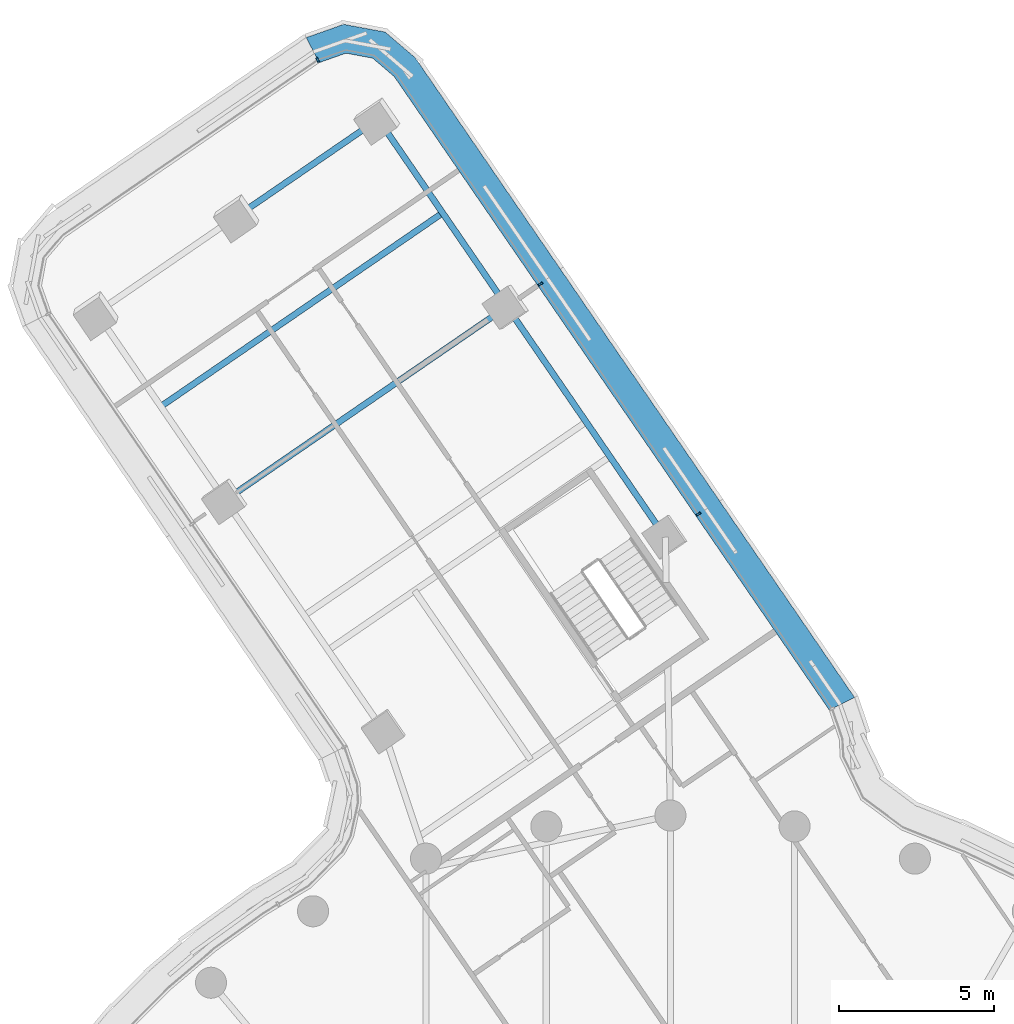
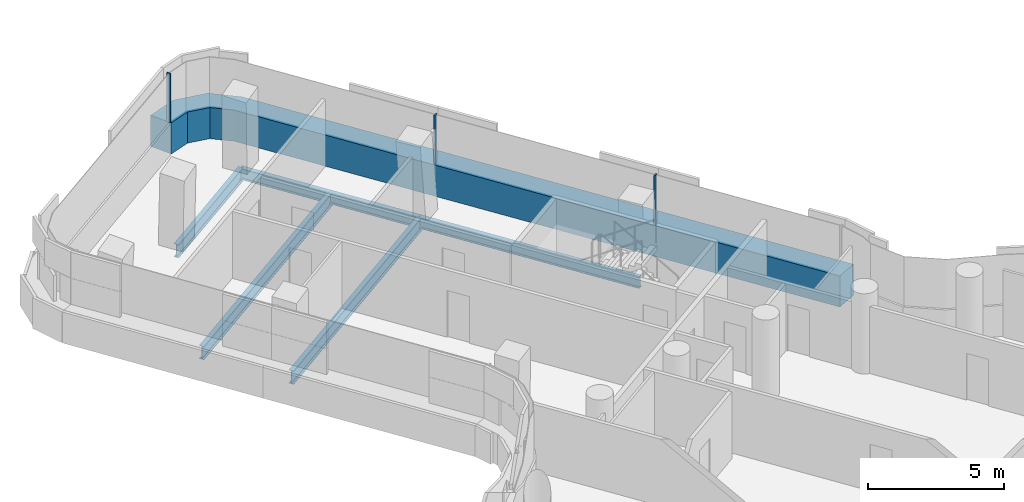
# One storey, part 17 of 33: 5 beams, 4 members, 2 elements without a shape of their own.
"""IFC4 building model written with IfcOpenShell, lengths in metres."""

import ifcopenshell
import ifcopenshell.guid

model = None  # the IFC model being written
_history = None  # IfcOwnerHistory: only IFC2X3 demands one
_inside = {}  # id of a spatial element -> (the spatial element, [elements in it])
_under = {}  # id of a project, library or spatial element -> (it, [spatial elements below it])
_declared = {}  # id of a project -> (the project, [libraries it declares])
_typed = {}  # id of a type object -> (the type object, [elements of that type])
_made_of = {}  # id of a material, layer set ... -> (it, [elements and type objects made of it])


def new_model(schema):
    """Start an empty IFC model of exactly this schema.

    Asked for "IFC4X3", IfcOpenShell would pick the latest addendum, in which some entities
    have other attributes; the version numbers below select the first issue.
    IFC2X3 requires an IfcOwnerHistory on every rooted entity: one is made here for all.
    """
    global model, _history
    if schema == "IFC4X3":
        model = ifcopenshell.file(schema_version=(4, 3, 0, 0))
    else:
        model = ifcopenshell.file(schema=schema)
    _inside.clear()
    _under.clear()
    _declared.clear()
    _typed.clear()
    _made_of.clear()
    _history = None
    if model.schema == "IFC2X3":
        org = make("IfcOrganization", Name="unknown")
        user = make(
            "IfcPersonAndOrganization",
            ThePerson=make("IfcPerson", FamilyName="unknown"),
            TheOrganization=org,
        )
        app = make(
            "IfcApplication",
            ApplicationDeveloper=org,
            Version="unknown",
            ApplicationFullName="unknown",
            ApplicationIdentifier="unknown",
        )
        _history = make(
            "IfcOwnerHistory",
            OwningUser=user,
            OwningApplication=app,
            ChangeAction="ADDED",
            CreationDate=0,
        )
    return model


def make(cls, **values):
    """One entity of the class cls with the attributes given. An attribute that is None is left unset."""
    return model.create_entity(
        cls, **{name: value for name, value in values.items() if value is not None}
    )


def rooted(cls, **values):
    """An entity with a GlobalId (a new one), such as an element, a storey or a relation."""
    return make(cls, GlobalId=ifcopenshell.guid.new(), OwnerHistory=_history, **values)


def si_unit(unit_type, name, prefix=None):
    """IfcSIUnit, for example si_unit("LENGTHUNIT", "METRE", prefix="MILLI")."""
    return make("IfcSIUnit", UnitType=unit_type, Prefix=prefix, Name=name)


def assignment(units):
    """IfcUnitAssignment: the units of a project."""
    return None if units is None else make("IfcUnitAssignment", Units=units)


def point(xyz):
    """IfcCartesianPoint."""
    return None if xyz is None else make("IfcCartesianPoint", Coordinates=xyz)


def direction(xyz):
    """IfcDirection."""
    return None if xyz is None else make("IfcDirection", DirectionRatios=xyz)


def frame(location, z_axis=None, x_axis=None):
    """IfcAxis2Placement3D, a coordinate frame: its origin and axes. An axis left out is left unset."""
    return make(
        "IfcAxis2Placement3D",
        Location=point(location),
        Axis=direction(z_axis),
        RefDirection=direction(x_axis),
    )


def frame_2d(location, x_axis=None):
    """IfcAxis2Placement2D, a coordinate frame in the plane: its origin and x axis."""
    return make(
        "IfcAxis2Placement2D", Location=point(location), RefDirection=direction(x_axis)
    )


def origin():
    """The frame at (0, 0, 0) with its axes left unset."""
    return frame((0.0, 0.0, 0.0))


def origin_2d():
    """The frame at (0, 0) in the plane with its x axis left unset."""
    return frame_2d((0.0, 0.0))


def place(relative_to, where):
    """IfcLocalPlacement: puts the frame where relative to a parent placement (None: the world)."""
    return make(
        "IfcLocalPlacement", PlacementRelTo=relative_to, RelativePlacement=where
    )


def context(
    kind, dimensions, precision=None, world=None, true_north=None, identifier=None
):
    """IfcGeometricRepresentationContext, for example the 3D "Model" context."""
    return make(
        "IfcGeometricRepresentationContext",
        ContextIdentifier=identifier,
        ContextType=kind,
        CoordinateSpaceDimension=dimensions,
        Precision=precision,
        WorldCoordinateSystem=world,
        TrueNorth=true_north,
    )


def subcontext(parent, identifier, kind, view, scale=None):
    """IfcGeometricRepresentationSubContext, for example "Body" below "Model"."""
    return make(
        "IfcGeometricRepresentationSubContext",
        ContextIdentifier=identifier,
        ContextType=kind,
        ParentContext=parent,
        TargetScale=scale,
        TargetView=view,
    )


def project(units=None, contexts=None):
    """IfcProject with its units and contexts."""
    return rooted(
        "IfcProject",
        Name="project",
        RepresentationContexts=contexts,
        UnitsInContext=assignment(units),
    )


def spatial(cls, under=None, at=None, **own):
    """A site, building, storey or space (cls), placed at a placement, below another one or the project."""
    s = rooted(cls, ObjectPlacement=at, **own)
    if under is not None:
        _under.setdefault(under.id(), (under, []))[1].append(s)
    return s


def polyline(points):
    """IfcPolyline through the points."""
    return make("IfcPolyline", Points=[point(p) for p in points])


def profile(cls, at=None, kind="AREA", **sizes):
    """A parametric profile (cls). Its sizes go by their IFC names, for example OverallWidth=200.0."""
    return make(cls, ProfileType=kind, Position=at, **sizes)


def rectangle(**sizes):
    """IfcRectangleProfileDef."""
    return profile("IfcRectangleProfileDef", **sizes)


def i_section(**sizes):
    """IfcIShapeProfileDef."""
    return profile("IfcIShapeProfileDef", **sizes)


def outline(outer, holes=None, kind="AREA"):
    """IfcArbitraryClosedProfileDef: a profile drawn as a closed curve; with holes, ...WithVoids."""
    if holes is None:
        return make("IfcArbitraryClosedProfileDef", ProfileType=kind, OuterCurve=outer)
    return make(
        "IfcArbitraryProfileDefWithVoids",
        ProfileType=kind,
        OuterCurve=outer,
        InnerCurves=holes,
    )


def extrude(swept, where, along, depth):
    """IfcExtrudedAreaSolid: the profile swept, set in the frame where, extruded along a direction by depth."""
    return make(
        "IfcExtrudedAreaSolid",
        SweptArea=swept,
        Position=where,
        ExtrudedDirection=direction(along),
        Depth=depth,
    )


def shape(context_of_items, identifier, shape_type, items):
    """IfcShapeRepresentation: the items that make up one representation, for example the "Body"."""
    return make(
        "IfcShapeRepresentation",
        ContextOfItems=context_of_items,
        RepresentationIdentifier=identifier,
        RepresentationType=shape_type,
        Items=items,
    )


def material(Name=None, Category=None):
    """IfcMaterial."""
    return make("IfcMaterial", Name=Name, Category=Category)


def layer(
    of_material, thickness, ventilated=None, Name=None, Category=None, Priority=None
):
    """IfcMaterialLayer: one layer of a wall or slab, of a material (None: an air gap)."""
    return make(
        "IfcMaterialLayer",
        Material=of_material,
        LayerThickness=thickness,
        IsVentilated=ventilated,
        Name=Name,
        Category=Category,
        Priority=Priority,
    )


def layer_set(layers, Name=None):
    """IfcMaterialLayerSet."""
    return make("IfcMaterialLayerSet", MaterialLayers=layers, LayerSetName=Name)


def material_profile(
    of_material, cross_section, Name=None, Category=None, Priority=None
):
    """IfcMaterialProfile: a cross section and its material."""
    return make(
        "IfcMaterialProfile",
        Name=Name,
        Material=of_material,
        Profile=cross_section,
        Priority=Priority,
        Category=Category,
    )


def profile_set(profiles, Name=None, composite=None):
    """IfcMaterialProfileSet."""
    return make(
        "IfcMaterialProfileSet",
        Name=Name,
        MaterialProfiles=profiles,
        CompositeProfile=composite,
    )


def made_of(thing, what):
    """Note that an element or type object is made of a material, layer set ...; save() writes the relation."""
    if what is not None:
        _made_of.setdefault(what.id(), (what, []))[1].append(thing)
    return thing


def type_object(cls, material=None, **own):
    """A type object (cls), such as IfcWallType, which elements share."""
    return made_of(rooted(cls, **own), material)


def element(
    cls,
    number,
    at=None,
    inside=None,
    cuts=None,
    type_object=None,
    material=None,
    context=None,
    identifier="Body",
    shape_type=None,
    held_by="IfcProductDefinitionShape",
    body=None,
    shapes=None,
    **own,
):
    """One element of the class cls, such as IfcWall. Its Tag is "e" and its number.

    at: its placement. inside: the storey or other place that contains it. cuts: it is an
    opening in that element (IfcRelVoidsElement). A single representation is given by context,
    identifier, shape_type and body (its items); several are given by shapes. held_by: the class
    of the entity that holds the representations. save() writes the other relations.
    """
    e = rooted(cls, Tag="e%d" % number, ObjectPlacement=at, **own)
    if body is not None:
        shapes = [shape(context, identifier, shape_type, body)]
    if shapes is not None:
        e.Representation = make(held_by, Representations=shapes)
    if inside is not None:
        _inside.setdefault(inside.id(), (inside, []))[1].append(e)
    if cuts is not None:
        rooted(
            "IfcRelVoidsElement", RelatingBuildingElement=cuts, RelatedOpeningElement=e
        )
    if type_object is not None:
        _typed.setdefault(type_object.id(), (type_object, []))[1].append(e)
    return made_of(e, material)


def aggregate(whole, parts):
    """IfcRelAggregates: a whole, such as a stair, and the parts it consists of."""
    return rooted("IfcRelAggregates", RelatingObject=whole, RelatedObjects=parts)


def save(model, path):
    """Write the relations noted so far, then the file.

    IfcRelAggregates (storeys below a building ...), IfcRelContainedInSpatialStructure (elements
    in a storey), IfcRelDefinesByType, IfcRelAssociatesMaterial and IfcRelDeclares: one each for
    every whole, place, type object, material and project.
    """
    for whole, parts in _under.values():
        aggregate(whole, parts)
    for where, things in _inside.values():
        rooted(
            "IfcRelContainedInSpatialStructure",
            RelatedElements=things,
            RelatingStructure=where,
        )
    for kind, things in _typed.values():
        rooted("IfcRelDefinesByType", RelatedObjects=things, RelatingType=kind)
    for what, things in _made_of.values():
        rooted("IfcRelAssociatesMaterial", RelatedObjects=things, RelatingMaterial=what)
    for by, libraries in _declared.values():
        rooted("IfcRelDeclares", RelatingContext=by, RelatedDefinitions=libraries)
    model.write(path)


model = new_model("IFC4")

# Units and contexts
model_context = context("Model", 3, precision=1e-05, world=origin(), true_north=direction((0.0, 1.0)))
body_context = subcontext(model_context, "Body", "Model", "MODEL_VIEW")
ifc_project = project(units=[si_unit("LENGTHUNIT", "METRE"), si_unit("AREAUNIT", "SQUARE_METRE"), si_unit("VOLUMEUNIT", "CUBIC_METRE"), si_unit("PLANEANGLEUNIT", "RADIAN"), si_unit("MASSUNIT", "GRAM", prefix="KILO")], contexts=[model_context])

# Site, building, storey
site_placement = place(None, origin())
site = spatial("IfcSite", under=ifc_project, at=site_placement, CompositionType="ELEMENT")
building_placement = place(site_placement, origin())
building = spatial("IfcBuilding", under=site, at=building_placement, Name="Tamarind Cross Interchange Tower", CompositionType="ELEMENT")
storey_placement = place(building_placement, frame((0.0, 0.0, 159.25)))
storey = spatial("IfcBuildingStorey", under=building, at=storey_placement, Name="L39", CompositionType="ELEMENT", Elevation=159.25)

# Beams
ifc_material_1 = material(Name="Steel Q355B", Category="steel")
ifc_material_profile_1 = material_profile(ifc_material_1, i_section(OverallWidth=0.198974609375, OverallDepth=0.49609375, WebThickness=0.009033203125, FlangeThickness=0.013916015625, FilletRadius=0.012939453125, at=origin_2d()), Name="HN 496x199x9x14")
ifc_profile_set_1 = profile_set([ifc_material_profile_1], Name="Steel Q355B")
beam_type_1 = type_object("IfcBeamType", Name="Composite beam HN 496x199x9x14 Q355B", PredefinedType="BEAM", material=ifc_profile_set_1)
beam_1_placement = place(storey_placement, frame((-9.4013671875, 45.40576171875, -0.387939453125), z_axis=(0.566098228726, -0.824337792069, 0.0), x_axis=(0.824337792069, 0.566098228726, 0.0)))
element("IfcBeam", 1, at=beam_1_placement, inside=storey, type_object=beam_type_1, Name="Beam N-edgeem5", PredefinedType="BEAM", context=body_context, shape_type="SweptSolid", body=[
    extrude(i_section(OverallWidth=0.198974609375, OverallDepth=0.49609375, WebThickness=0.009033203125, FlangeThickness=0.013916015625, FilletRadius=0.012939453125, at=origin_2d()), origin(), (0.0, 0.0, 1.0), 7.31640625),
])
beam_2_placement = place(storey_placement, frame((-5.259521484375, 39.37451171875, -0.387939453125), z_axis=(0.566091253332, -0.824342582244, 0.0), x_axis=(0.824342582244, 0.566091253332, 0.0)))
element("IfcBeam", 2, at=beam_2_placement, inside=storey, type_object=beam_type_1, Name="Beam N-edgeem6", PredefinedType="BEAM", context=body_context, shape_type="SweptSolid", body=[
    extrude(i_section(OverallWidth=0.198974609375, OverallDepth=0.49609375, WebThickness=0.009033203125, FlangeThickness=0.013916015625, FilletRadius=0.012939453125, at=origin_2d()), origin(), (0.0, 0.0, 1.0), 8.999755859375),
])
ifc_material_profile_2 = material_profile(ifc_material_1, i_section(OverallWidth=0.199951171875, OverallDepth=0.60009765625, WebThickness=0.010986328125, FlangeThickness=0.01708984375, FilletRadius=0.012939453125, at=origin_2d()), Name="HN 600x200x11x17")
ifc_profile_set_2 = profile_set([ifc_material_profile_2], Name="Steel Q355B")
beam_type_2 = type_object("IfcBeamType", Name="Composite beam HN 600x200x11x17 Q355B", PredefinedType="BEAM", material=ifc_profile_set_2)
beam_3_placement = place(storey_placement, frame((-9.4013671875, 45.40576171875, -0.43994140625), z_axis=(-0.824343580186, -0.566089800125, 0.0), x_axis=(0.566089800125, -0.824343580186, 0.0)))
element("IfcBeam", 3, at=beam_3_placement, inside=storey, type_object=beam_type_2, Name="Beam N-tip0", PredefinedType="BEAM", context=body_context, shape_type="SweptSolid", body=[
    extrude(i_section(OverallWidth=0.199951171875, OverallDepth=0.60009765625, WebThickness=0.010986328125, FlangeThickness=0.01708984375, FilletRadius=0.012939453125, at=origin_2d()), origin(), (0.0, 0.0, 1.0), 5.5),
])
for number, where, z_axis, x_axis, name in (
    (4, (-5.259521484375, 39.37451171875, -0.43994140625), (-0.824343580186, -0.566089800125, 0.0), (0.566089800125, -0.824343580186, 0.0), "Beam N-x393"),
    (5, (-7.33056640625, 42.39013671875, -0.43994140625), (-0.824336467633, -0.566100157331, 0.0), (0.566100157331, -0.824336467633, 0.0), "Beam N-x430"),
):
    element("IfcBeam", number, at=place(storey_placement, frame(where, z_axis=z_axis, x_axis=x_axis)), inside=storey, type_object=beam_type_2, Name=name, PredefinedType="BEAM", context=body_context, shape_type="SweptSolid", body=[
        extrude(i_section(OverallWidth=0.199951171875, OverallDepth=0.60009765625, WebThickness=0.010986328125, FlangeThickness=0.01708984375, FilletRadius=0.012939453125, at=origin_2d()), origin(), (0.0, 0.0, 1.0), 11.0),
    ])

# Curtain wall, members
ifc_material_2 = material(Name="Aluminium 6063-T6", Category="aluminium")
ifc_layer = layer(ifc_material_2, 0.159912109375)
ifc_layer_set = layer_set([ifc_layer], Name="Aluminium 6063-T6")
curtain_wall_type = type_object("IfcCurtainWallType", Name="Office curtain wall, 9.0 m bays", PredefinedType="NOTDEFINED", material=ifc_layer_set)
curtain_wall_1_placement = place(storey_placement, origin())
curtain_wall_1 = element("IfcCurtainWall", 6, at=curtain_wall_1_placement, inside=storey, type_object=curtain_wall_type, Name="CWS-L39-11", PredefinedType="NOTDEFINED")
ifc_material_3 = material(Name="Aluminium and insulated spandrel panel", Category="aluminium")
member_type_1 = type_object("IfcMemberType", Name="Floor-edge blade transom", PredefinedType="USERDEFINED", material=ifc_material_3)
member_1_placement = place(storey_placement, origin())
member_1 = element("IfcMember", 7, at=member_1_placement, type_object=member_type_1, Name="CWT-L39-11", ObjectType="TRANSOM", PredefinedType="USERDEFINED", context=body_context, shape_type="SweptSolid", body=[
    extrude(outline(polyline([(5.1103515625, 26.393798828125), (-8.886474609375, 46.77587890625), (-9.582275390625, 47.37060546875), (-10.442138671875, 47.5302734375), (-11.30517578125, 47.22509765625), (-11.717041015625, 48.0341796875), (-10.514892578125, 48.459228515625), (-9.180908203125, 48.21142578125), (-8.211669921875, 47.383056640625), (5.922607421875, 26.801025390625), (5.1103515625, 26.393798828125)])), origin(), (0.0, 0.0, 1.0), 1.39990234375),
])
ifc_material_profile_3 = material_profile(ifc_material_2, rectangle(XDim=0.06005859375, YDim=0.159912109375, at=origin_2d()), Name="Mullion CW1")
ifc_profile_set_3 = profile_set([ifc_material_profile_3], Name="Aluminium 6063-T6")
member_type_2 = type_object("IfcMemberType", Name="Mullion CW1", PredefinedType="MULLION", material=ifc_profile_set_3)
member_2_placement = place(storey_placement, frame((0.900634765625, 32.700439453125, 1.39990234375), z_axis=(0.0, 0.0, 1.0), x_axis=(-0.566095508429, 0.824339660174, 0.0)))
member_2 = element("IfcMember", 8, at=member_2_placement, type_object=member_type_2, Name="CWM-L39-11-01", PredefinedType="MULLION", context=body_context, shape_type="SweptSolid", body=[
    extrude(rectangle(XDim=0.06005859375, YDim=0.159912109375, at=origin_2d()), origin(), (0.0, 0.0, 1.0), 2.210205078125),
])
member_3_placement = place(storey_placement, frame((-4.18310546875, 40.103515625, 1.39990234375), z_axis=(0.0, 0.0, 1.0), x_axis=(-0.566095508429, 0.824339660174, 0.0)))
member_3 = element("IfcMember", 9, at=member_3_placement, type_object=member_type_2, Name="CWM-L39-11-02", PredefinedType="MULLION", context=body_context, shape_type="SweptSolid", body=[
    extrude(rectangle(XDim=0.06005859375, YDim=0.159912109375, at=origin_2d()), origin(), (0.0, 0.0, 1.0), 2.210205078125),
])
aggregate(curtain_wall_1, [member_2, member_3, member_1])

# Curtain wall, member
curtain_wall_2_placement = place(storey_placement, origin())
curtain_wall_2 = element("IfcCurtainWall", 10, at=curtain_wall_2_placement, inside=storey, type_object=curtain_wall_type, Name="CWS-L39-12", PredefinedType="NOTDEFINED")
member_4_placement = place(storey_placement, frame((-11.350830078125, 47.31494140625, 1.39990234375), z_axis=(0.0, 0.0, 1.0), x_axis=(-0.891177611255, -0.45365456594, 0.0)))
member_4 = element("IfcMember", 11, at=member_4_placement, type_object=member_type_2, Name="CWM-L39-12-00", PredefinedType="MULLION", context=body_context, shape_type="SweptSolid", body=[
    extrude(rectangle(XDim=0.06005859375, YDim=0.159912109375, at=origin_2d()), origin(), (0.0, 0.0, 1.0), 2.210205078125),
])
aggregate(curtain_wall_2, [member_4])

save(model, "model.ifc")
